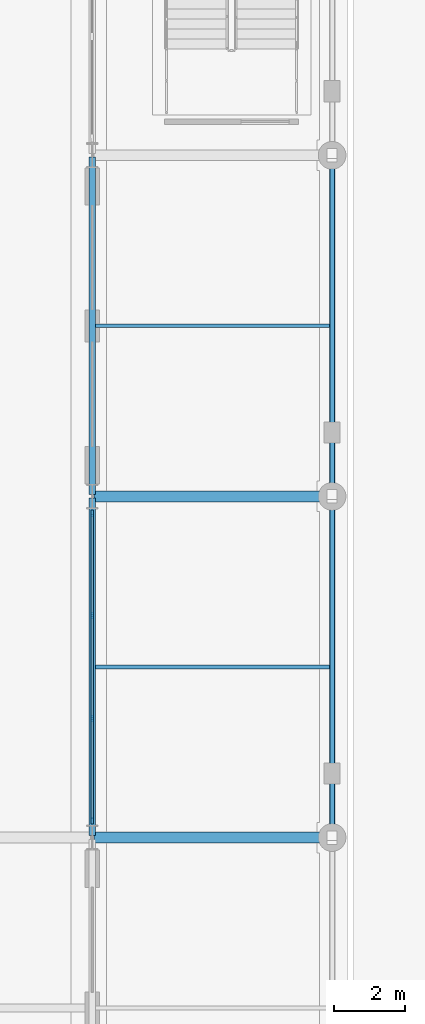
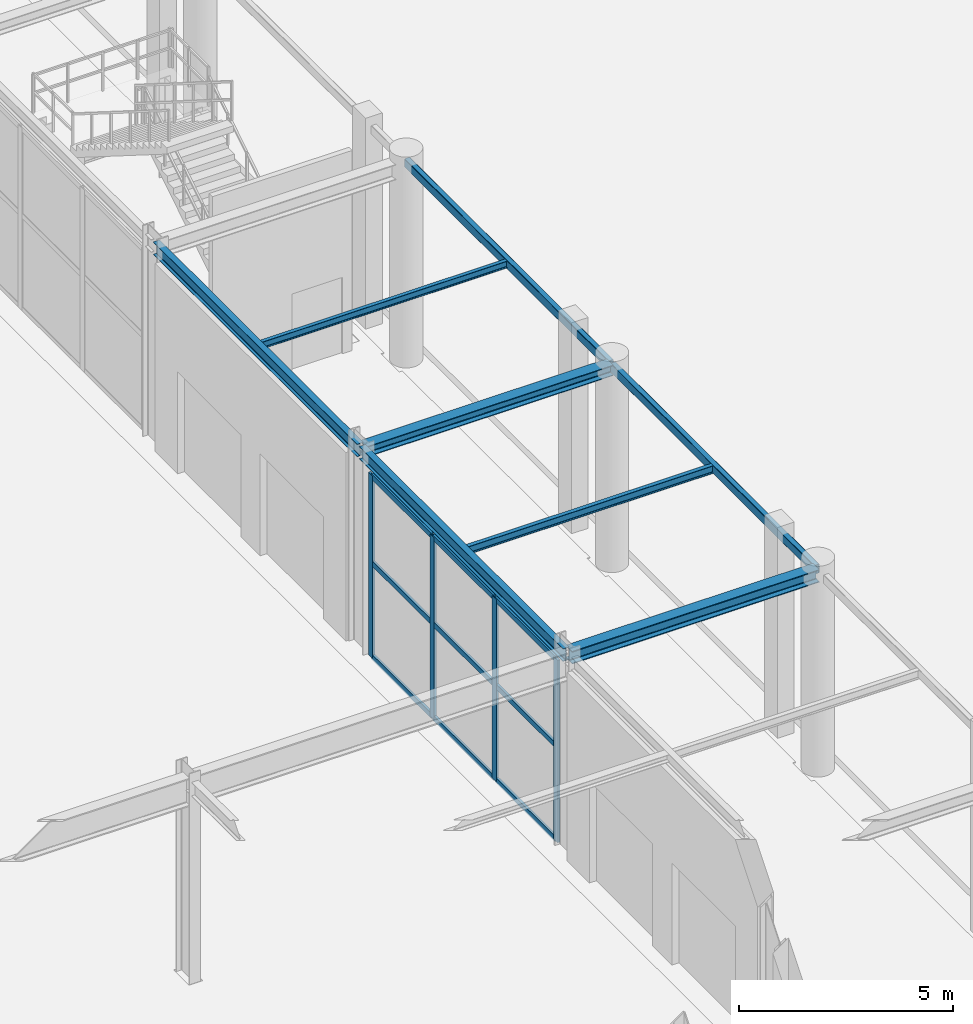
# One storey, part 35 of 113: 13 members, 8 beams, 1 element without a shape of its own.
"""IFC4 building model written with IfcOpenShell, lengths in metres."""

from ifc_helpers import new_model, si_unit, direction, frame, origin, origin_2d, place, context, subcontext, project, spatial, rectangle, hollow_rectangle, i_section, extrude, material, layer, layer_set, material_profile, profile_set, type_object, element, aggregate, save


model = new_model("IFC4")

# Units and contexts
model_context = context("Model", 3, precision=1e-05, world=origin(), true_north=direction((0.0, 1.0)))
body_context = subcontext(model_context, "Body", "Model", "MODEL_VIEW")
ifc_project = project(units=[si_unit("LENGTHUNIT", "METRE"), si_unit("AREAUNIT", "SQUARE_METRE"), si_unit("VOLUMEUNIT", "CUBIC_METRE"), si_unit("PLANEANGLEUNIT", "RADIAN"), si_unit("MASSUNIT", "GRAM", prefix="KILO")], contexts=[model_context])

# Site, building, storey
site_placement = place(None, origin())
site = spatial("IfcSite", under=ifc_project, at=site_placement, CompositionType="ELEMENT")
building_placement = place(site_placement, origin())
building = spatial("IfcBuilding", under=site, at=building_placement, Name="Myrtia Square Station", CompositionType="ELEMENT")
storey_placement = place(building_placement, origin())
storey = spatial("IfcBuildingStorey", under=building, at=storey_placement, Name="L00", CompositionType="ELEMENT", Elevation=0.0)

# Beams
ifc_material_1 = material(Name="Steel S355", Category="steel")
ifc_material_profile_1 = material_profile(ifc_material_1, i_section(OverallWidth=0.300048828125, OverallDepth=0.300048828125, WebThickness=0.010986328125, FlangeThickness=0.01904296875, FilletRadius=0.027099609375, at=origin_2d()), Name="HEB 300")
ifc_profile_set_1 = profile_set([ifc_material_profile_1], Name="Steel S355")
beam_type_1 = type_object("IfcBeamType", Name="BM-HEB300", PredefinedType="BEAM", material=ifc_profile_set_1)
beam_1_placement = place(storey_placement, frame((109.85009765625, 57.60009765625, 5.590087890625), z_axis=(1.0, 0.0, 0.0), x_axis=(0.0, 1.0, 0.0)))
element("IfcBeam", 1, at=beam_1_placement, inside=storey, type_object=beam_type_1, Name="Structural girder BMX-L00-0282", PredefinedType="BEAM", context=body_context, shape_type="SweptSolid", body=[
    extrude(i_section(OverallWidth=0.300048828125, OverallDepth=0.300048828125, WebThickness=0.010986328125, FlangeThickness=0.01904296875, FilletRadius=0.027099609375, at=origin_2d()), origin(), (0.0, 0.0, 1.0), 6.64990234375),
])
ifc_material_profile_2 = material_profile(ifc_material_1, i_section(OverallWidth=0.300048828125, OverallDepth=0.360107421875, WebThickness=0.012451171875, FlangeThickness=0.0224609375, FilletRadius=0.027099609375, at=origin_2d()), Name="HEB 360")
ifc_profile_set_2 = profile_set([ifc_material_profile_2], Name="Steel S355")
beam_type_2 = type_object("IfcBeamType", Name="BM-HEB360", PredefinedType="BEAM", material=ifc_profile_set_2)
beam_2_placement = place(storey_placement, frame((109.85009765625, 48.0, 5.56005859375), z_axis=(1.0, 0.0, 0.0), x_axis=(0.0, 1.0, 0.0)))
element("IfcBeam", 2, at=beam_2_placement, inside=storey, type_object=beam_type_2, Name="Structural girder BMX-L00-0280", PredefinedType="BEAM", context=body_context, shape_type="SweptSolid", body=[
    extrude(i_section(OverallWidth=0.300048828125, OverallDepth=0.360107421875, WebThickness=0.012451171875, FlangeThickness=0.0224609375, FilletRadius=0.027099609375, at=origin_2d()), origin(), (0.0, 0.0, 1.0), 6.64990234375),
])
ifc_material_profile_3 = material_profile(ifc_material_1, i_section(OverallWidth=0.169921875, OverallDepth=0.360107421875, WebThickness=0.008056640625, FlangeThickness=0.0126953125, FilletRadius=0.01806640625, at=origin_2d()), Name="IPE 360")
ifc_profile_set_3 = profile_set([ifc_material_profile_3], Name="Steel S355")
beam_type_3 = type_object("IfcBeamType", Name="BM-IPE360", PredefinedType="BEAM", material=ifc_profile_set_3)
for number, where, z_axis, x_axis, name in (
    (3, (109.800048828125, 48.050048828125, 5.56005859375), (0.0, 1.0, 0.0), (-1.0, 0.0, 0.0), "Structural girder BMY-L00-0313"),
    (4, (109.800048828125, 57.64990234375, 5.56005859375), (0.0, 1.0, 0.0), (-1.0, 0.0, 0.0), "Structural girder BMY-L00-0314"),
):
    element("IfcBeam", number, at=place(storey_placement, frame(where, z_axis=z_axis, x_axis=x_axis)), inside=storey, type_object=beam_type_3, Name=name, PredefinedType="BEAM", context=body_context, shape_type="SweptSolid", body=[
        extrude(i_section(OverallWidth=0.169921875, OverallDepth=0.360107421875, WebThickness=0.008056640625, FlangeThickness=0.0126953125, FilletRadius=0.01806640625, at=origin_2d()), origin(), (0.0, 0.0, 1.0), 9.5),
    ])

# Curtain wall, members
ifc_material_2 = material(Name="Dark bronze anodised aluminium", Category="aluminium")
ifc_layer = layer(ifc_material_2, 0.159912109375, Name="Dark bronze anodised aluminium")
ifc_layer_set = layer_set([ifc_layer], Name="Dark bronze anodised aluminium")
curtain_wall_type = type_object("IfcCurtainWallType", Name="CW-TYPE-02-870x519", PredefinedType="USERDEFINED", material=ifc_layer_set)
curtain_wall_placement = place(storey_placement, origin())
curtain_wall = element("IfcCurtainWall", 5, at=curtain_wall_placement, inside=storey, type_object=curtain_wall_type, Name="Concourse curtain wall CW-L00-002", ObjectType="CONCOURSE CURTAIN WALL", PredefinedType="USERDEFINED")
ifc_material_profile_4 = material_profile(ifc_material_2, rectangle(XDim=0.06494140625, YDim=0.199951171875, at=origin_2d()), Name="ALU-M 65x200")
ifc_profile_set_4 = profile_set([ifc_material_profile_4], Name="Dark bronze anodised aluminium")
member_type_1 = type_object("IfcMemberType", Name="CWM-65x200", PredefinedType="MULLION", material=ifc_profile_set_4)
member_1_placement = place(storey_placement, frame((109.800048828125, 48.482421875, 0.0), z_axis=(0.0, 0.0, 1.0), x_axis=(-1.0, 0.0, 0.0)))
member_1 = element("IfcMember", 6, at=member_1_placement, type_object=member_type_1, Name="CW-002 mullion 1", PredefinedType="MULLION", context=body_context, shape_type="SweptSolid", body=[
    extrude(rectangle(XDim=0.06494140625, YDim=0.199951171875, at=origin_2d()), origin(), (0.0, 0.0, 1.0), 5.18994140625),
])
member_2_placement = place(storey_placement, frame((109.800048828125, 51.35009765625, 0.0), z_axis=(0.0, 0.0, 1.0), x_axis=(-1.0, 0.0, 0.0)))
member_2 = element("IfcMember", 7, at=member_2_placement, type_object=member_type_1, Name="CW-002 mullion 2", PredefinedType="MULLION", context=body_context, shape_type="SweptSolid", body=[
    extrude(rectangle(XDim=0.06494140625, YDim=0.199951171875, at=origin_2d()), origin(), (0.0, 0.0, 1.0), 5.18994140625),
])
member_3_placement = place(storey_placement, frame((109.800048828125, 54.25, 0.0), z_axis=(0.0, 0.0, 1.0), x_axis=(-1.0, 0.0, 0.0)))
member_3 = element("IfcMember", 8, at=member_3_placement, type_object=member_type_1, Name="CW-002 mullion 3", PredefinedType="MULLION", context=body_context, shape_type="SweptSolid", body=[
    extrude(rectangle(XDim=0.06494140625, YDim=0.199951171875, at=origin_2d()), origin(), (0.0, 0.0, 1.0), 5.18994140625),
])
member_4_placement = place(storey_placement, frame((109.800048828125, 57.117431640625, 0.0), z_axis=(0.0, 0.0, 1.0), x_axis=(-1.0, 0.0, 0.0)))
member_4 = element("IfcMember", 9, at=member_4_placement, type_object=member_type_1, Name="CW-002 mullion 4", PredefinedType="MULLION", context=body_context, shape_type="SweptSolid", body=[
    extrude(rectangle(XDim=0.06494140625, YDim=0.199951171875, at=origin_2d()), origin(), (0.0, 0.0, 1.0), 5.18994140625),
])
ifc_material_profile_5 = material_profile(ifc_material_2, rectangle(XDim=0.06494140625, YDim=0.14990234375, at=origin_2d()), Name="ALU-T 65x150")
ifc_profile_set_5 = profile_set([ifc_material_profile_5], Name="Dark bronze anodised aluminium")
member_type_2 = type_object("IfcMemberType", Name="CWT-65x150", PredefinedType="USERDEFINED", material=ifc_profile_set_5)
member_5_placement = place(storey_placement, frame((109.800048828125, 48.514892578125, 0.032470703125), z_axis=(0.0, 1.0, 0.0), x_axis=(-1.0, 0.0, 0.0)))
member_5 = element("IfcMember", 10, at=member_5_placement, type_object=member_type_2, Name="CW-002 transom 1.1", ObjectType="TRANSOM", PredefinedType="USERDEFINED", context=body_context, shape_type="SweptSolid", body=[
    extrude(rectangle(XDim=0.06494140625, YDim=0.14990234375, at=origin_2d()), origin(), (0.0, 0.0, 1.0), 2.802490234375),
])
member_6_placement = place(storey_placement, frame((109.800048828125, 48.514892578125, 2.698974609375), z_axis=(0.0, 1.0, 0.0), x_axis=(-1.0, 0.0, 0.0)))
member_6 = element("IfcMember", 11, at=member_6_placement, type_object=member_type_2, Name="CW-002 transom 1.2", ObjectType="TRANSOM", PredefinedType="USERDEFINED", context=body_context, shape_type="SweptSolid", body=[
    extrude(rectangle(XDim=0.06494140625, YDim=0.14990234375, at=origin_2d()), origin(), (0.0, 0.0, 1.0), 2.802490234375),
])
member_7_placement = place(storey_placement, frame((109.800048828125, 48.514892578125, 5.157470703125), z_axis=(0.0, 1.0, 0.0), x_axis=(-1.0, 0.0, 0.0)))
member_7 = element("IfcMember", 12, at=member_7_placement, type_object=member_type_2, Name="CW-002 transom 1.3", ObjectType="TRANSOM", PredefinedType="USERDEFINED", context=body_context, shape_type="SweptSolid", body=[
    extrude(rectangle(XDim=0.06494140625, YDim=0.14990234375, at=origin_2d()), origin(), (0.0, 0.0, 1.0), 2.802490234375),
])
member_8_placement = place(storey_placement, frame((109.800048828125, 51.382568359375, 0.032470703125), z_axis=(0.0, 1.0, 0.0), x_axis=(-1.0, 0.0, 0.0)))
member_8 = element("IfcMember", 13, at=member_8_placement, type_object=member_type_2, Name="CW-002 transom 2.1", ObjectType="TRANSOM", PredefinedType="USERDEFINED", context=body_context, shape_type="SweptSolid", body=[
    extrude(rectangle(XDim=0.06494140625, YDim=0.14990234375, at=origin_2d()), origin(), (0.0, 0.0, 1.0), 2.8349609375),
])
member_9_placement = place(storey_placement, frame((109.800048828125, 51.382568359375, 2.698974609375), z_axis=(0.0, 1.0, 0.0), x_axis=(-1.0, 0.0, 0.0)))
member_9 = element("IfcMember", 14, at=member_9_placement, type_object=member_type_2, Name="CW-002 transom 2.2", ObjectType="TRANSOM", PredefinedType="USERDEFINED", context=body_context, shape_type="SweptSolid", body=[
    extrude(rectangle(XDim=0.06494140625, YDim=0.14990234375, at=origin_2d()), origin(), (0.0, 0.0, 1.0), 2.8349609375),
])
member_10_placement = place(storey_placement, frame((109.800048828125, 51.382568359375, 5.157470703125), z_axis=(0.0, 1.0, 0.0), x_axis=(-1.0, 0.0, 0.0)))
member_10 = element("IfcMember", 15, at=member_10_placement, type_object=member_type_2, Name="CW-002 transom 2.3", ObjectType="TRANSOM", PredefinedType="USERDEFINED", context=body_context, shape_type="SweptSolid", body=[
    extrude(rectangle(XDim=0.06494140625, YDim=0.14990234375, at=origin_2d()), origin(), (0.0, 0.0, 1.0), 2.8349609375),
])
member_11_placement = place(storey_placement, frame((109.800048828125, 54.282470703125, 0.032470703125), z_axis=(0.0, 1.0, 0.0), x_axis=(-1.0, 0.0, 0.0)))
member_11 = element("IfcMember", 16, at=member_11_placement, type_object=member_type_2, Name="CW-002 transom 3.1", ObjectType="TRANSOM", PredefinedType="USERDEFINED", context=body_context, shape_type="SweptSolid", body=[
    extrude(rectangle(XDim=0.06494140625, YDim=0.14990234375, at=origin_2d()), origin(), (0.0, 0.0, 1.0), 2.802490234375),
])
member_12_placement = place(storey_placement, frame((109.800048828125, 54.282470703125, 2.698974609375), z_axis=(0.0, 1.0, 0.0), x_axis=(-1.0, 0.0, 0.0)))
member_12 = element("IfcMember", 17, at=member_12_placement, type_object=member_type_2, Name="CW-002 transom 3.2", ObjectType="TRANSOM", PredefinedType="USERDEFINED", context=body_context, shape_type="SweptSolid", body=[
    extrude(rectangle(XDim=0.06494140625, YDim=0.14990234375, at=origin_2d()), origin(), (0.0, 0.0, 1.0), 2.802490234375),
])
member_13_placement = place(storey_placement, frame((109.800048828125, 54.282470703125, 5.157470703125), z_axis=(0.0, 1.0, 0.0), x_axis=(-1.0, 0.0, 0.0)))
member_13 = element("IfcMember", 18, at=member_13_placement, type_object=member_type_2, Name="CW-002 transom 3.3", ObjectType="TRANSOM", PredefinedType="USERDEFINED", context=body_context, shape_type="SweptSolid", body=[
    extrude(rectangle(XDim=0.06494140625, YDim=0.14990234375, at=origin_2d()), origin(), (0.0, 0.0, 1.0), 2.802490234375),
])
aggregate(curtain_wall, [member_1, member_2, member_3, member_4, member_5, member_6, member_7, member_8, member_9, member_10, member_11, member_12, member_13])

# Beams
ifc_material_profile_6 = material_profile(ifc_material_1, i_section(OverallWidth=0.10009765625, OverallDepth=0.199951171875, WebThickness=0.005615234375, FlangeThickness=0.008544921875, FilletRadius=0.011962890625, at=origin_2d()), Name="IPE 200")
ifc_profile_set_6 = profile_set([ifc_material_profile_6], Name="Steel S355")
beam_type_4 = type_object("IfcBeamType", Name="JST-IPE200", PredefinedType="JOIST", material=ifc_profile_set_6)
beam_3_placement = place(storey_placement, frame((109.885009765625, 62.39990234375, 5.639892578125), z_axis=(1.0, 0.0, 0.0), x_axis=(0.0, 1.0, 0.0)))
element("IfcBeam", 19, at=beam_3_placement, inside=storey, type_object=beam_type_4, Name="Composite floor joist L00-0025", PredefinedType="JOIST", context=body_context, shape_type="SweptSolid", body=[
    extrude(i_section(OverallWidth=0.10009765625, OverallDepth=0.199951171875, WebThickness=0.005615234375, FlangeThickness=0.008544921875, FilletRadius=0.011962890625, at=origin_2d()), origin(), (0.0, 0.0, 1.0), 6.590087890625),
])
ifc_material_profile_7 = material_profile(ifc_material_1, i_section(OverallWidth=0.110107421875, OverallDepth=0.219970703125, WebThickness=0.005859375, FlangeThickness=0.00927734375, FilletRadius=0.011962890625, at=origin_2d()), Name="IPE 220")
ifc_profile_set_7 = profile_set([ifc_material_profile_7], Name="Steel S355")
beam_type_5 = type_object("IfcBeamType", Name="JST-IPE220", PredefinedType="JOIST", material=ifc_profile_set_7)
beam_4_placement = place(storey_placement, frame((109.885009765625, 52.800048828125, 5.6298828125), z_axis=(1.0, 0.0, 0.0), x_axis=(0.0, 1.0, 0.0)))
element("IfcBeam", 20, at=beam_4_placement, inside=storey, type_object=beam_type_5, Name="Composite floor joist L00-0024", PredefinedType="JOIST", context=body_context, shape_type="SweptSolid", body=[
    extrude(i_section(OverallWidth=0.110107421875, OverallDepth=0.219970703125, WebThickness=0.005859375, FlangeThickness=0.00927734375, FilletRadius=0.011962890625, at=origin_2d()), origin(), (0.0, 0.0, 1.0), 6.590087890625),
])
ifc_material_profile_8 = material_profile(ifc_material_1, hollow_rectangle(XDim=0.14990234375, YDim=0.25, WallThickness=0.012451171875, InnerFilletRadius=0.012451171875, OuterFilletRadius=0.02490234375, at=origin_2d()), Name="RHS 250x150x12.5")
ifc_profile_set_8 = profile_set([ifc_material_profile_8], Name="Steel S355")
beam_type_6 = type_object("IfcBeamType", Name="SPN-RHS250", PredefinedType="SPANDREL", material=ifc_profile_set_8)
for number, where, z_axis, x_axis, name in (
    (21, (116.550048828125, 48.050048828125, 5.614990234375), (0.0, 1.0, 0.0), (-1.0, 0.0, 0.0), "Structural girder SPNY-L00-0082"),
    (22, (116.550048828125, 57.64990234375, 5.614990234375), (0.0, 1.0, 0.0), (-1.0, 0.0, 0.0), "Structural girder SPNY-L00-0083"),
):
    element("IfcBeam", number, at=place(storey_placement, frame(where, z_axis=z_axis, x_axis=x_axis)), inside=storey, type_object=beam_type_6, Name=name, PredefinedType="SPANDREL", context=body_context, shape_type="SweptSolid", body=[
        extrude(hollow_rectangle(XDim=0.14990234375, YDim=0.25, WallThickness=0.012451171875, InnerFilletRadius=0.012451171875, OuterFilletRadius=0.02490234375, at=origin_2d()), origin(), (0.0, 0.0, 1.0), 9.5),
    ])

save(model, "model.ifc")
